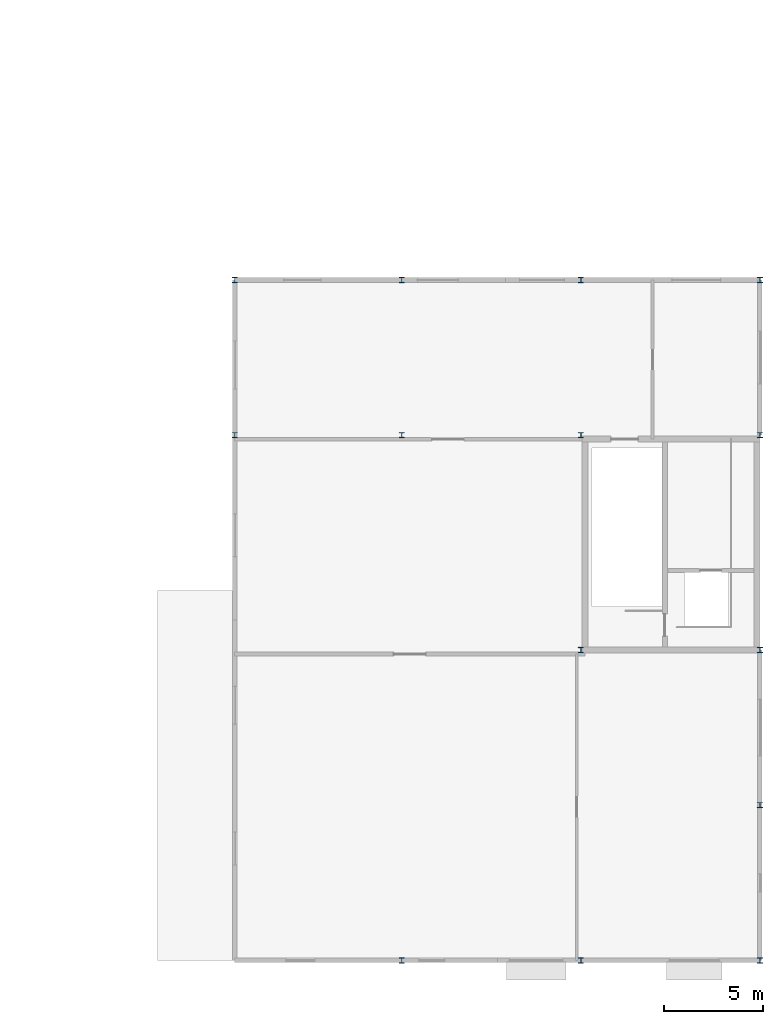
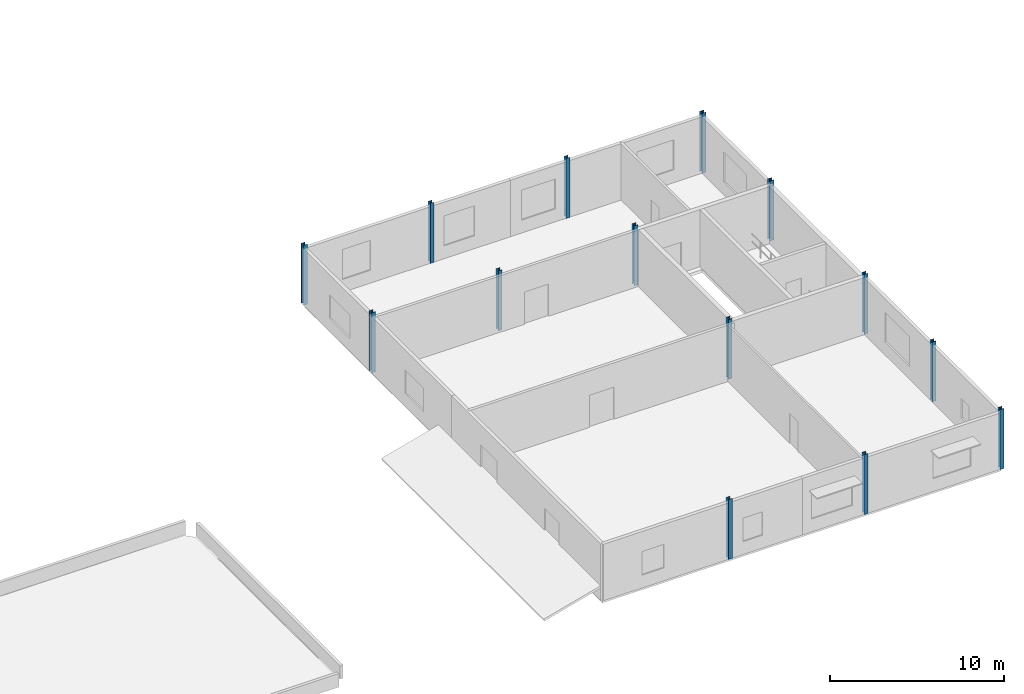
# One storey, part 10 of 54: 14 columns.
"""IFC4 building model written with IfcOpenShell, lengths in metres."""

from ifc_helpers import new_model, si_unit, direction, frame, origin, origin_2d, place, context, subcontext, project, spatial, i_section, extrude, material, material_profile, profile_set, type_object, element, save


model = new_model("IFC4")

# Units and contexts
model_context = context("Model", 3, precision=1e-05, world=origin(), true_north=direction((0.0, 1.0)))
body_context = subcontext(model_context, "Body", "Model", "MODEL_VIEW")
ifc_project = project(units=[si_unit("LENGTHUNIT", "METRE"), si_unit("AREAUNIT", "SQUARE_METRE"), si_unit("VOLUMEUNIT", "CUBIC_METRE"), si_unit("PLANEANGLEUNIT", "RADIAN"), si_unit("MASSUNIT", "GRAM", prefix="KILO")], contexts=[model_context])

# Site, building, storey
site_placement = place(None, origin())
site = spatial("IfcSite", under=ifc_project, at=site_placement, CompositionType="ELEMENT")
building_placement = place(site_placement, origin())
building = spatial("IfcBuilding", under=site, at=building_placement, Name="Selat Folded Stagehouse", CompositionType="ELEMENT")
storey_placement = place(building_placement, frame((0.0, 0.0, 15.0)))
storey = spatial("IfcBuildingStorey", under=building, at=storey_placement, Name="L03", CompositionType="ELEMENT", Elevation=15.0)

# Columns
ifc_material = material(Name="Steel S355", Category="steel")
ifc_material_profile = material_profile(ifc_material, i_section(OverallWidth=0.2587890625, OverallDepth=0.2666015625, WebThickness=0.0126953125, FlangeThickness=0.0205078125, FilletRadius=0.0126953125, at=origin_2d()), Name="UKC 254x254x107")
ifc_profile_set = profile_set([ifc_material_profile], Name="Steel S355")
column_type = type_object("IfcColumnType", Name="COL-UKC-254x254x107", PredefinedType="COLUMN", material=ifc_profile_set)
for number, where, z_axis, x_axis, name in (
    (1, (134.39990234375, 26.39990234375, 0.0), (0.0, 0.0, 1.0), (1.0, 0.0, 0.0), "L03 column STK-V3-03"),
    (2, (134.39990234375, 34.199951171875, 0.0), (0.0, 0.0, 1.0), (1.0, 0.0, 0.0), "L03 column STK-V3-04"),
    (3, (142.800048828125, 0.0, 0.0), (0.0, 0.0, 1.0), (1.0, 0.0, 0.0), "L03 column STK-V3-05"),
    (4, (142.800048828125, 26.39990234375, 0.0), (0.0, 0.0, 1.0), (1.0, 0.0, 0.0), "L03 column STK-V3-06"),
    (5, (142.800048828125, 34.199951171875, 0.0), (0.0, 0.0, 1.0), (1.0, 0.0, 0.0), "L03 column STK-V3-07"),
    (6, (151.800048828125, 0.0, 0.0), (0.0, 0.0, 1.0), (1.0, 0.0, 0.0), "L03 column STK-V3-08"),
    (7, (151.800048828125, 15.60009765625, 0.0), (0.0, 0.0, 1.0), (1.0, 0.0, 0.0), "L03 column STK-V3-09"),
    (8, (151.800048828125, 26.39990234375, 0.0), (0.0, 0.0, 1.0), (1.0, 0.0, 0.0), "L03 column STK-V3-10"),
    (9, (151.800048828125, 34.199951171875, 0.0), (0.0, 0.0, 1.0), (1.0, 0.0, 0.0), "L03 column STK-V3-11"),
    (10, (160.800048828125, 0.0, 0.0), (0.0, 0.0, 1.0), (1.0, 0.0, 0.0), "L03 column STK-V3-12"),
    (11, (160.800048828125, 7.800048828125, 0.0), (0.0, 0.0, 1.0), (1.0, 0.0, 0.0), "L03 column STK-V3-13"),
    (12, (160.800048828125, 15.60009765625, 0.0), (0.0, 0.0, 1.0), (1.0, 0.0, 0.0), "L03 column STK-V3-14"),
    (13, (160.800048828125, 26.39990234375, 0.0), (0.0, 0.0, 1.0), (1.0, 0.0, 0.0), "L03 column STK-V3-15"),
    (14, (160.800048828125, 34.199951171875, 0.0), (0.0, 0.0, 1.0), (1.0, 0.0, 0.0), "L03 column STK-V3-16"),
):
    element("IfcColumn", number, at=place(storey_placement, frame(where, z_axis=z_axis, x_axis=x_axis)), inside=storey, type_object=column_type, Name=name, PredefinedType="COLUMN", context=body_context, shape_type="SweptSolid", body=[
        extrude(i_section(OverallWidth=0.2587890625, OverallDepth=0.2666015625, WebThickness=0.0126953125, FlangeThickness=0.0205078125, FilletRadius=0.0126953125, at=origin_2d()), origin(), (0.0, 0.0, 1.0), 4.199951171875),
    ])

save(model, "model.ifc")
